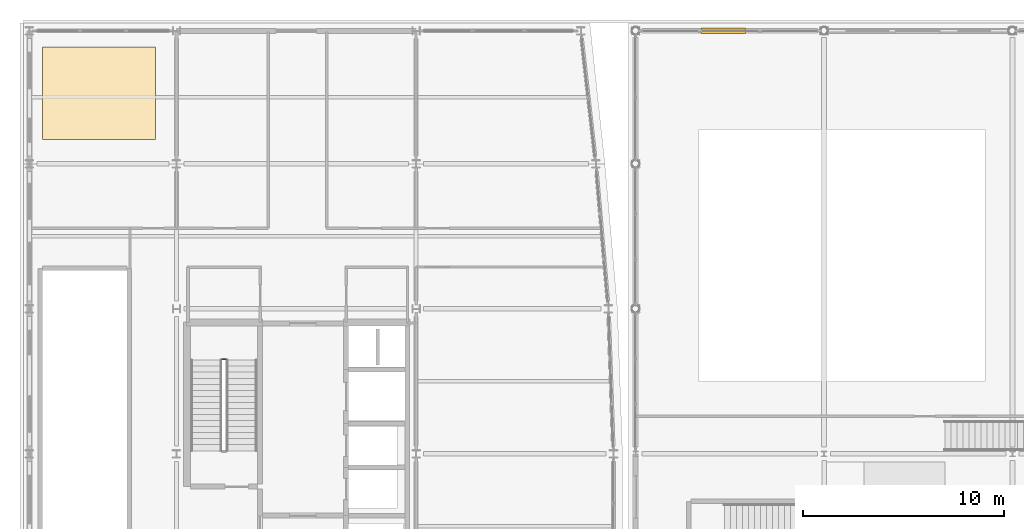
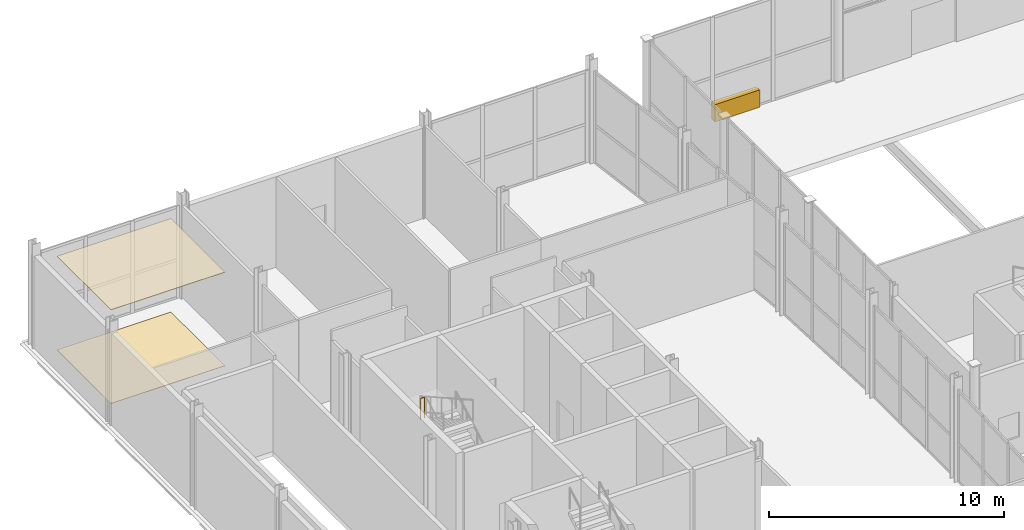
# One storey, part 81 of 83: 2 coverings, 1 railing, 1 shading device.
"""IFC4 building model written with IfcOpenShell, lengths in metres."""

import ifcopenshell
import ifcopenshell.guid

model = None  # the IFC model being written
_history = None  # IfcOwnerHistory: only IFC2X3 demands one
_inside = {}  # id of a spatial element -> (the spatial element, [elements in it])
_under = {}  # id of a project, library or spatial element -> (it, [spatial elements below it])
_declared = {}  # id of a project -> (the project, [libraries it declares])
_typed = {}  # id of a type object -> (the type object, [elements of that type])
_made_of = {}  # id of a material, layer set ... -> (it, [elements and type objects made of it])


def new_model(schema):
    """Start an empty IFC model of exactly this schema.

    Asked for "IFC4X3", IfcOpenShell would pick the latest addendum, in which some entities
    have other attributes; the version numbers below select the first issue.
    IFC2X3 requires an IfcOwnerHistory on every rooted entity: one is made here for all.
    """
    global model, _history
    if schema == "IFC4X3":
        model = ifcopenshell.file(schema_version=(4, 3, 0, 0))
    else:
        model = ifcopenshell.file(schema=schema)
    _inside.clear()
    _under.clear()
    _declared.clear()
    _typed.clear()
    _made_of.clear()
    _history = None
    if model.schema == "IFC2X3":
        org = make("IfcOrganization", Name="unknown")
        user = make(
            "IfcPersonAndOrganization",
            ThePerson=make("IfcPerson", FamilyName="unknown"),
            TheOrganization=org,
        )
        app = make(
            "IfcApplication",
            ApplicationDeveloper=org,
            Version="unknown",
            ApplicationFullName="unknown",
            ApplicationIdentifier="unknown",
        )
        _history = make(
            "IfcOwnerHistory",
            OwningUser=user,
            OwningApplication=app,
            ChangeAction="ADDED",
            CreationDate=0,
        )
    return model


def make(cls, **values):
    """One entity of the class cls with the attributes given. An attribute that is None is left unset."""
    return model.create_entity(
        cls, **{name: value for name, value in values.items() if value is not None}
    )


def rooted(cls, **values):
    """An entity with a GlobalId (a new one), such as an element, a storey or a relation."""
    return make(cls, GlobalId=ifcopenshell.guid.new(), OwnerHistory=_history, **values)


def si_unit(unit_type, name, prefix=None):
    """IfcSIUnit, for example si_unit("LENGTHUNIT", "METRE", prefix="MILLI")."""
    return make("IfcSIUnit", UnitType=unit_type, Prefix=prefix, Name=name)


def assignment(units):
    """IfcUnitAssignment: the units of a project."""
    return None if units is None else make("IfcUnitAssignment", Units=units)


def point(xyz):
    """IfcCartesianPoint."""
    return None if xyz is None else make("IfcCartesianPoint", Coordinates=xyz)


def direction(xyz):
    """IfcDirection."""
    return None if xyz is None else make("IfcDirection", DirectionRatios=xyz)


def frame(location, z_axis=None, x_axis=None):
    """IfcAxis2Placement3D, a coordinate frame: its origin and axes. An axis left out is left unset."""
    return make(
        "IfcAxis2Placement3D",
        Location=point(location),
        Axis=direction(z_axis),
        RefDirection=direction(x_axis),
    )


def frame_2d(location, x_axis=None):
    """IfcAxis2Placement2D, a coordinate frame in the plane: its origin and x axis."""
    return make(
        "IfcAxis2Placement2D", Location=point(location), RefDirection=direction(x_axis)
    )


def origin():
    """The frame at (0, 0, 0) with its axes left unset."""
    return frame((0.0, 0.0, 0.0))


def origin_2d():
    """The frame at (0, 0) in the plane with its x axis left unset."""
    return frame_2d((0.0, 0.0))


def place(relative_to, where):
    """IfcLocalPlacement: puts the frame where relative to a parent placement (None: the world)."""
    return make(
        "IfcLocalPlacement", PlacementRelTo=relative_to, RelativePlacement=where
    )


def context(
    kind, dimensions, precision=None, world=None, true_north=None, identifier=None
):
    """IfcGeometricRepresentationContext, for example the 3D "Model" context."""
    return make(
        "IfcGeometricRepresentationContext",
        ContextIdentifier=identifier,
        ContextType=kind,
        CoordinateSpaceDimension=dimensions,
        Precision=precision,
        WorldCoordinateSystem=world,
        TrueNorth=true_north,
    )


def subcontext(parent, identifier, kind, view, scale=None):
    """IfcGeometricRepresentationSubContext, for example "Body" below "Model"."""
    return make(
        "IfcGeometricRepresentationSubContext",
        ContextIdentifier=identifier,
        ContextType=kind,
        ParentContext=parent,
        TargetScale=scale,
        TargetView=view,
    )


def project(units=None, contexts=None):
    """IfcProject with its units and contexts."""
    return rooted(
        "IfcProject",
        Name="project",
        RepresentationContexts=contexts,
        UnitsInContext=assignment(units),
    )


def spatial(cls, under=None, at=None, **own):
    """A site, building, storey or space (cls), placed at a placement, below another one or the project."""
    s = rooted(cls, ObjectPlacement=at, **own)
    if under is not None:
        _under.setdefault(under.id(), (under, []))[1].append(s)
    return s


def polyline(points):
    """IfcPolyline through the points."""
    return make("IfcPolyline", Points=[point(p) for p in points])


def profile(cls, at=None, kind="AREA", **sizes):
    """A parametric profile (cls). Its sizes go by their IFC names, for example OverallWidth=200.0."""
    return make(cls, ProfileType=kind, Position=at, **sizes)


def rectangle(**sizes):
    """IfcRectangleProfileDef."""
    return profile("IfcRectangleProfileDef", **sizes)


def circle(**sizes):
    """IfcCircleProfileDef."""
    return profile("IfcCircleProfileDef", **sizes)


def outline(outer, holes=None, kind="AREA"):
    """IfcArbitraryClosedProfileDef: a profile drawn as a closed curve; with holes, ...WithVoids."""
    if holes is None:
        return make("IfcArbitraryClosedProfileDef", ProfileType=kind, OuterCurve=outer)
    return make(
        "IfcArbitraryProfileDefWithVoids",
        ProfileType=kind,
        OuterCurve=outer,
        InnerCurves=holes,
    )


def extrude(swept, where, along, depth):
    """IfcExtrudedAreaSolid: the profile swept, set in the frame where, extruded along a direction by depth."""
    return make(
        "IfcExtrudedAreaSolid",
        SweptArea=swept,
        Position=where,
        ExtrudedDirection=direction(along),
        Depth=depth,
    )


def shape(context_of_items, identifier, shape_type, items):
    """IfcShapeRepresentation: the items that make up one representation, for example the "Body"."""
    return make(
        "IfcShapeRepresentation",
        ContextOfItems=context_of_items,
        RepresentationIdentifier=identifier,
        RepresentationType=shape_type,
        Items=items,
    )


def material(Name=None, Category=None):
    """IfcMaterial."""
    return make("IfcMaterial", Name=Name, Category=Category)


def layer(
    of_material, thickness, ventilated=None, Name=None, Category=None, Priority=None
):
    """IfcMaterialLayer: one layer of a wall or slab, of a material (None: an air gap)."""
    return make(
        "IfcMaterialLayer",
        Material=of_material,
        LayerThickness=thickness,
        IsVentilated=ventilated,
        Name=Name,
        Category=Category,
        Priority=Priority,
    )


def layer_set(layers, Name=None):
    """IfcMaterialLayerSet."""
    return make("IfcMaterialLayerSet", MaterialLayers=layers, LayerSetName=Name)


def made_of(thing, what):
    """Note that an element or type object is made of a material, layer set ...; save() writes the relation."""
    if what is not None:
        _made_of.setdefault(what.id(), (what, []))[1].append(thing)
    return thing


def type_object(cls, material=None, **own):
    """A type object (cls), such as IfcWallType, which elements share."""
    return made_of(rooted(cls, **own), material)


def element(
    cls,
    number,
    at=None,
    inside=None,
    cuts=None,
    type_object=None,
    material=None,
    context=None,
    identifier="Body",
    shape_type=None,
    held_by="IfcProductDefinitionShape",
    body=None,
    shapes=None,
    **own,
):
    """One element of the class cls, such as IfcWall. Its Tag is "e" and its number.

    at: its placement. inside: the storey or other place that contains it. cuts: it is an
    opening in that element (IfcRelVoidsElement). A single representation is given by context,
    identifier, shape_type and body (its items); several are given by shapes. held_by: the class
    of the entity that holds the representations. save() writes the other relations.
    """
    e = rooted(cls, Tag="e%d" % number, ObjectPlacement=at, **own)
    if body is not None:
        shapes = [shape(context, identifier, shape_type, body)]
    if shapes is not None:
        e.Representation = make(held_by, Representations=shapes)
    if inside is not None:
        _inside.setdefault(inside.id(), (inside, []))[1].append(e)
    if cuts is not None:
        rooted(
            "IfcRelVoidsElement", RelatingBuildingElement=cuts, RelatedOpeningElement=e
        )
    if type_object is not None:
        _typed.setdefault(type_object.id(), (type_object, []))[1].append(e)
    return made_of(e, material)


def aggregate(whole, parts):
    """IfcRelAggregates: a whole, such as a stair, and the parts it consists of."""
    return rooted("IfcRelAggregates", RelatingObject=whole, RelatedObjects=parts)


def save(model, path):
    """Write the relations noted so far, then the file.

    IfcRelAggregates (storeys below a building ...), IfcRelContainedInSpatialStructure (elements
    in a storey), IfcRelDefinesByType, IfcRelAssociatesMaterial and IfcRelDeclares: one each for
    every whole, place, type object, material and project.
    """
    for whole, parts in _under.values():
        aggregate(whole, parts)
    for where, things in _inside.values():
        rooted(
            "IfcRelContainedInSpatialStructure",
            RelatedElements=things,
            RelatingStructure=where,
        )
    for kind, things in _typed.values():
        rooted("IfcRelDefinesByType", RelatedObjects=things, RelatingType=kind)
    for what, things in _made_of.values():
        rooted("IfcRelAssociatesMaterial", RelatedObjects=things, RelatingMaterial=what)
    for by, libraries in _declared.values():
        rooted("IfcRelDeclares", RelatingContext=by, RelatedDefinitions=libraries)
    model.write(path)


model = new_model("IFC4")

# Units and contexts
model_context = context("Model", 3, precision=1e-05, world=origin(), true_north=direction((0.0, 1.0)))
body_context = subcontext(model_context, "Body", "Model", "MODEL_VIEW")
ifc_project = project(units=[si_unit("LENGTHUNIT", "METRE"), si_unit("AREAUNIT", "SQUARE_METRE"), si_unit("VOLUMEUNIT", "CUBIC_METRE"), si_unit("PLANEANGLEUNIT", "RADIAN"), si_unit("MASSUNIT", "GRAM", prefix="KILO")], contexts=[model_context])

# Site, building, storey
site_placement = place(None, origin())
site = spatial("IfcSite", under=ifc_project, at=site_placement, CompositionType="ELEMENT")
building_placement = place(site_placement, origin())
building = spatial("IfcBuilding", under=site, at=building_placement, Name="Quillay Park Conservatory", CompositionType="ELEMENT")
storey_placement = place(building_placement, origin())
storey = spatial("IfcBuildingStorey", under=building, at=storey_placement, Name="L00", CompositionType="ELEMENT", Elevation=0.0)

# Coverings
ifc_material_1 = material(Name="Perforated Mineral-Fibre Acoustic Ceiling")
ifc_layer_1 = layer(ifc_material_1, 0.02490234375)
ifc_layer_set_1 = layer_set([ifc_layer_1], Name="ACOUSTIC MINERAL CEILING 25 (Perforated Mineral-Fibre Acoustic Ceiling)")
covering_type_1 = type_object("IfcCoveringType", Name="ACOUSTIC MINERAL CEILING 25", PredefinedType="CEILING", material=ifc_layer_set_1)
covering_1_placement = place(storey_placement, frame((0.0, 0.0, 4.862060546875)))
element("IfcCovering", 1, at=covering_1_placement, inside=storey, type_object=covering_type_1, Name="L00 Suspended Acoustic Ceiling", PredefinedType="CEILING", context=body_context, shape_type="SweptSolid", body=[
    extrude(outline(polyline([(1.199951171875, 108.0), (6.800048828125, 108.0), (6.800048828125, 112.60009765625), (1.199951171875, 112.60009765625), (1.199951171875, 108.0)])), origin(), (0.0, 0.0, 1.0), 0.02490234375),
])
ifc_material_2 = material(Name="Polished Andean Aggregate Terrazzo Flooring")
ifc_layer_2 = layer(ifc_material_2, 0.02197265625)
ifc_layer_set_2 = layer_set([ifc_layer_2], Name="ANDEAN TERRAZZO FLOORING 22 (Polished Andean Aggregate Terrazzo Flooring)")
covering_type_2 = type_object("IfcCoveringType", Name="ANDEAN TERRAZZO FLOORING 22", PredefinedType="FLOORING", material=ifc_layer_set_2)
covering_2_placement = place(storey_placement, origin())
element("IfcCovering", 2, at=covering_2_placement, inside=storey, type_object=covering_type_2, Name="L00 Interior Flooring Finish", PredefinedType="FLOORING", context=body_context, shape_type="SweptSolid", body=[
    extrude(outline(polyline([(1.199951171875, 108.0), (6.800048828125, 108.0), (6.800048828125, 112.60009765625), (1.199951171875, 112.60009765625), (1.199951171875, 108.0)])), origin(), (0.0, 0.0, 1.0), 0.02197265625),
])

# Railing
ifc_material_3 = material(Name="Steel S355J2H", Category="steel")
railing_type = type_object("IfcRailingType", Name="STAIR WELL GUARDRAIL 1100", PredefinedType="GUARDRAIL", material=ifc_material_3)
railing_placement = place(storey_placement, frame((10.31005859375, 97.10009765625, 2.699951171875)))
element("IfcRailing", 3, at=railing_placement, inside=storey, type_object=railing_type, Name="L00 ST-T1 stair guard 2", PredefinedType="GUARDRAIL", context=body_context, shape_type="SweptSolid", body=[
    extrude(circle(Radius=0.02392578125, at=origin_2d()), frame((0.0, 0.0, 1.076171875), z_axis=(-1.0, 0.0, 0.0), x_axis=(0.0, -1.0, 0.0)), (0.0, 0.0, 1.0), 0.199951171875),
    extrude(circle(Radius=0.02099609375, at=origin_2d()), origin(), (0.0, 0.0, 1.0), 1.052001953125),
    extrude(circle(Radius=0.02099609375, at=origin_2d()), frame((-0.199951171875, 0.0, 0.0)), (0.0, 0.0, 1.0), 1.052001953125),
])

# Shading device
ifc_material_4 = material(Name="Perforated Copper-Bronze Anodised Aluminium", Category="aluminium")
shading_device_type = type_object("IfcShadingDeviceType", Name="CONSERVATORY INTAKE JALOUSIE", PredefinedType="JALOUSIE", material=ifc_material_4)
shading_device_placement = place(storey_placement, frame((35.0, 113.39990234375, 0.0), z_axis=(0.0, 0.0, 1.0), x_axis=(1.0, 0.0, 0.0)))
element("IfcShadingDevice", 4, at=shading_device_placement, inside=storey, type_object=shading_device_type, Name="L00 Conservatory Automated Intake Louvre 01", PredefinedType="JALOUSIE", context=body_context, shape_type="SweptSolid", body=[
    extrude(rectangle(XDim=2.199951171875, YDim=0.280029296875, at=origin_2d()), origin(), (0.0, 0.0, 1.0), 0.89990234375),
])

save(model, "model.ifc")
